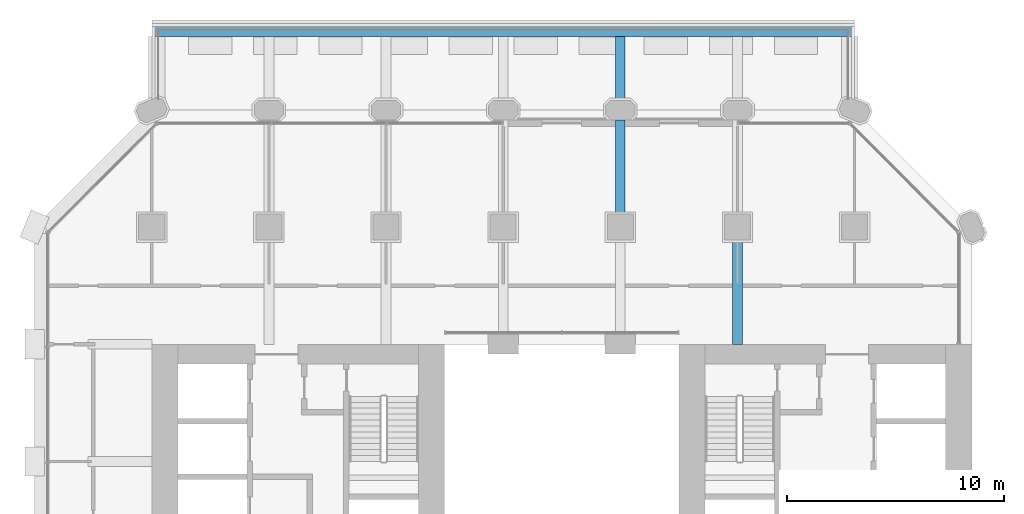
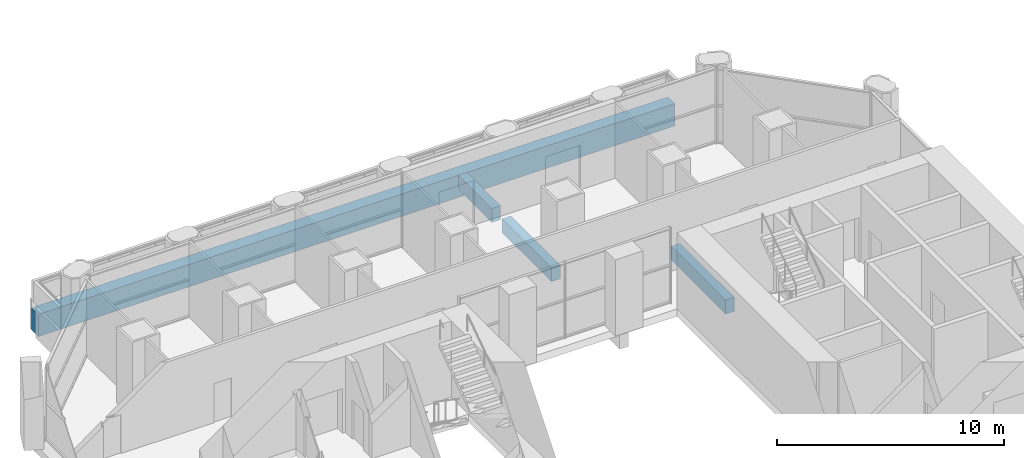
# One storey, part 8 of 23: 4 beams.
"""IFC4 building model written with IfcOpenShell, lengths in metres."""

import ifcopenshell
import ifcopenshell.guid

model = None  # the IFC model being written
_history = None  # IfcOwnerHistory: only IFC2X3 demands one
_inside = {}  # id of a spatial element -> (the spatial element, [elements in it])
_under = {}  # id of a project, library or spatial element -> (it, [spatial elements below it])
_declared = {}  # id of a project -> (the project, [libraries it declares])
_typed = {}  # id of a type object -> (the type object, [elements of that type])
_made_of = {}  # id of a material, layer set ... -> (it, [elements and type objects made of it])


def new_model(schema):
    """Start an empty IFC model of exactly this schema.

    Asked for "IFC4X3", IfcOpenShell would pick the latest addendum, in which some entities
    have other attributes; the version numbers below select the first issue.
    IFC2X3 requires an IfcOwnerHistory on every rooted entity: one is made here for all.
    """
    global model, _history
    if schema == "IFC4X3":
        model = ifcopenshell.file(schema_version=(4, 3, 0, 0))
    else:
        model = ifcopenshell.file(schema=schema)
    _inside.clear()
    _under.clear()
    _declared.clear()
    _typed.clear()
    _made_of.clear()
    _history = None
    if model.schema == "IFC2X3":
        org = make("IfcOrganization", Name="unknown")
        user = make(
            "IfcPersonAndOrganization",
            ThePerson=make("IfcPerson", FamilyName="unknown"),
            TheOrganization=org,
        )
        app = make(
            "IfcApplication",
            ApplicationDeveloper=org,
            Version="unknown",
            ApplicationFullName="unknown",
            ApplicationIdentifier="unknown",
        )
        _history = make(
            "IfcOwnerHistory",
            OwningUser=user,
            OwningApplication=app,
            ChangeAction="ADDED",
            CreationDate=0,
        )
    return model


def make(cls, **values):
    """One entity of the class cls with the attributes given. An attribute that is None is left unset."""
    return model.create_entity(
        cls, **{name: value for name, value in values.items() if value is not None}
    )


def rooted(cls, **values):
    """An entity with a GlobalId (a new one), such as an element, a storey or a relation."""
    return make(cls, GlobalId=ifcopenshell.guid.new(), OwnerHistory=_history, **values)


def si_unit(unit_type, name, prefix=None):
    """IfcSIUnit, for example si_unit("LENGTHUNIT", "METRE", prefix="MILLI")."""
    return make("IfcSIUnit", UnitType=unit_type, Prefix=prefix, Name=name)


def assignment(units):
    """IfcUnitAssignment: the units of a project."""
    return None if units is None else make("IfcUnitAssignment", Units=units)


def point(xyz):
    """IfcCartesianPoint."""
    return None if xyz is None else make("IfcCartesianPoint", Coordinates=xyz)


def direction(xyz):
    """IfcDirection."""
    return None if xyz is None else make("IfcDirection", DirectionRatios=xyz)


def frame(location, z_axis=None, x_axis=None):
    """IfcAxis2Placement3D, a coordinate frame: its origin and axes. An axis left out is left unset."""
    return make(
        "IfcAxis2Placement3D",
        Location=point(location),
        Axis=direction(z_axis),
        RefDirection=direction(x_axis),
    )


def frame_2d(location, x_axis=None):
    """IfcAxis2Placement2D, a coordinate frame in the plane: its origin and x axis."""
    return make(
        "IfcAxis2Placement2D", Location=point(location), RefDirection=direction(x_axis)
    )


def origin():
    """The frame at (0, 0, 0) with its axes left unset."""
    return frame((0.0, 0.0, 0.0))


def origin_2d():
    """The frame at (0, 0) in the plane with its x axis left unset."""
    return frame_2d((0.0, 0.0))


def place(relative_to, where):
    """IfcLocalPlacement: puts the frame where relative to a parent placement (None: the world)."""
    return make(
        "IfcLocalPlacement", PlacementRelTo=relative_to, RelativePlacement=where
    )


def context(
    kind, dimensions, precision=None, world=None, true_north=None, identifier=None
):
    """IfcGeometricRepresentationContext, for example the 3D "Model" context."""
    return make(
        "IfcGeometricRepresentationContext",
        ContextIdentifier=identifier,
        ContextType=kind,
        CoordinateSpaceDimension=dimensions,
        Precision=precision,
        WorldCoordinateSystem=world,
        TrueNorth=true_north,
    )


def subcontext(parent, identifier, kind, view, scale=None):
    """IfcGeometricRepresentationSubContext, for example "Body" below "Model"."""
    return make(
        "IfcGeometricRepresentationSubContext",
        ContextIdentifier=identifier,
        ContextType=kind,
        ParentContext=parent,
        TargetScale=scale,
        TargetView=view,
    )


def project(units=None, contexts=None):
    """IfcProject with its units and contexts."""
    return rooted(
        "IfcProject",
        Name="project",
        RepresentationContexts=contexts,
        UnitsInContext=assignment(units),
    )


def spatial(cls, under=None, at=None, **own):
    """A site, building, storey or space (cls), placed at a placement, below another one or the project."""
    s = rooted(cls, ObjectPlacement=at, **own)
    if under is not None:
        _under.setdefault(under.id(), (under, []))[1].append(s)
    return s


def profile(cls, at=None, kind="AREA", **sizes):
    """A parametric profile (cls). Its sizes go by their IFC names, for example OverallWidth=200.0."""
    return make(cls, ProfileType=kind, Position=at, **sizes)


def rectangle(**sizes):
    """IfcRectangleProfileDef."""
    return profile("IfcRectangleProfileDef", **sizes)


def extrude(swept, where, along, depth):
    """IfcExtrudedAreaSolid: the profile swept, set in the frame where, extruded along a direction by depth."""
    return make(
        "IfcExtrudedAreaSolid",
        SweptArea=swept,
        Position=where,
        ExtrudedDirection=direction(along),
        Depth=depth,
    )


def shape(context_of_items, identifier, shape_type, items):
    """IfcShapeRepresentation: the items that make up one representation, for example the "Body"."""
    return make(
        "IfcShapeRepresentation",
        ContextOfItems=context_of_items,
        RepresentationIdentifier=identifier,
        RepresentationType=shape_type,
        Items=items,
    )


def material(Name=None, Category=None):
    """IfcMaterial."""
    return make("IfcMaterial", Name=Name, Category=Category)


def material_profile(
    of_material, cross_section, Name=None, Category=None, Priority=None
):
    """IfcMaterialProfile: a cross section and its material."""
    return make(
        "IfcMaterialProfile",
        Name=Name,
        Material=of_material,
        Profile=cross_section,
        Priority=Priority,
        Category=Category,
    )


def profile_set(profiles, Name=None, composite=None):
    """IfcMaterialProfileSet."""
    return make(
        "IfcMaterialProfileSet",
        Name=Name,
        MaterialProfiles=profiles,
        CompositeProfile=composite,
    )


def made_of(thing, what):
    """Note that an element or type object is made of a material, layer set ...; save() writes the relation."""
    if what is not None:
        _made_of.setdefault(what.id(), (what, []))[1].append(thing)
    return thing


def type_object(cls, material=None, **own):
    """A type object (cls), such as IfcWallType, which elements share."""
    return made_of(rooted(cls, **own), material)


def element(
    cls,
    number,
    at=None,
    inside=None,
    cuts=None,
    type_object=None,
    material=None,
    context=None,
    identifier="Body",
    shape_type=None,
    held_by="IfcProductDefinitionShape",
    body=None,
    shapes=None,
    **own,
):
    """One element of the class cls, such as IfcWall. Its Tag is "e" and its number.

    at: its placement. inside: the storey or other place that contains it. cuts: it is an
    opening in that element (IfcRelVoidsElement). A single representation is given by context,
    identifier, shape_type and body (its items); several are given by shapes. held_by: the class
    of the entity that holds the representations. save() writes the other relations.
    """
    e = rooted(cls, Tag="e%d" % number, ObjectPlacement=at, **own)
    if body is not None:
        shapes = [shape(context, identifier, shape_type, body)]
    if shapes is not None:
        e.Representation = make(held_by, Representations=shapes)
    if inside is not None:
        _inside.setdefault(inside.id(), (inside, []))[1].append(e)
    if cuts is not None:
        rooted(
            "IfcRelVoidsElement", RelatingBuildingElement=cuts, RelatedOpeningElement=e
        )
    if type_object is not None:
        _typed.setdefault(type_object.id(), (type_object, []))[1].append(e)
    return made_of(e, material)


def aggregate(whole, parts):
    """IfcRelAggregates: a whole, such as a stair, and the parts it consists of."""
    return rooted("IfcRelAggregates", RelatingObject=whole, RelatedObjects=parts)


def save(model, path):
    """Write the relations noted so far, then the file.

    IfcRelAggregates (storeys below a building ...), IfcRelContainedInSpatialStructure (elements
    in a storey), IfcRelDefinesByType, IfcRelAssociatesMaterial and IfcRelDeclares: one each for
    every whole, place, type object, material and project.
    """
    for whole, parts in _under.values():
        aggregate(whole, parts)
    for where, things in _inside.values():
        rooted(
            "IfcRelContainedInSpatialStructure",
            RelatedElements=things,
            RelatingStructure=where,
        )
    for kind, things in _typed.values():
        rooted("IfcRelDefinesByType", RelatedObjects=things, RelatingType=kind)
    for what, things in _made_of.values():
        rooted("IfcRelAssociatesMaterial", RelatedObjects=things, RelatingMaterial=what)
    for by, libraries in _declared.values():
        rooted("IfcRelDeclares", RelatingContext=by, RelatedDefinitions=libraries)
    model.write(path)


model = new_model("IFC4")

# Units and contexts
model_context = context("Model", 3, precision=1e-05, world=origin(), true_north=direction((0.0, 1.0)))
body_context = subcontext(model_context, "Body", "Model", "MODEL_VIEW")
ifc_project = project(units=[si_unit("LENGTHUNIT", "METRE"), si_unit("AREAUNIT", "SQUARE_METRE"), si_unit("VOLUMEUNIT", "CUBIC_METRE"), si_unit("PLANEANGLEUNIT", "RADIAN"), si_unit("MASSUNIT", "GRAM", prefix="KILO")], contexts=[model_context])

# Site, building, storey
site_placement = place(None, origin())
site = spatial("IfcSite", under=ifc_project, at=site_placement, CompositionType="ELEMENT")
building_placement = place(site_placement, origin())
building = spatial("IfcBuilding", under=site, at=building_placement, Name="Tabaq Tower and Sports Hall", CompositionType="ELEMENT")
storey_placement = place(building_placement, frame((0.0, 0.0, 24.60009765625)))
storey = spatial("IfcBuildingStorey", under=building, at=storey_placement, Name="L04", CompositionType="ELEMENT", Elevation=24.60009765625)

# Beams
ifc_material_1 = material(Name="Concrete C40/50", Category="concrete")
ifc_material_profile_1 = material_profile(ifc_material_1, rectangle(XDim=0.60009765625, YDim=1.199951171875, at=origin_2d()), Name="EBT 600x1200")
ifc_profile_set_1 = profile_set([ifc_material_profile_1], Name="Concrete C40/50")
beam_type_1 = type_object("IfcBeamType", Name="Concrete C40/50 PT edge band EBT 600x1200", PredefinedType="BEAM", material=ifc_profile_set_1)
beam_1_placement = place(storey_placement, frame((37.800048828125, 46.89990234375, -1.0), z_axis=(-1.0, 0.0, 0.0), x_axis=(0.0, -1.0, 0.0)))
element("IfcBeam", 1, at=beam_1_placement, inside=storey, type_object=beam_type_1, Name="Tray edge band L04", PredefinedType="BEAM", context=body_context, shape_type="SweptSolid", body=[
    extrude(rectangle(XDim=0.60009765625, YDim=1.199951171875, at=origin_2d()), origin(), (0.0, 0.0, 1.0), 32.400146484375),
])
ifc_material_2 = material(Name="Concrete C40/50", Category="concrete")
ifc_material_profile_2 = material_profile(ifc_material_2, rectangle(XDim=0.449951171875, YDim=0.75, at=origin_2d()), Name="CB 450x750")
ifc_profile_set_2 = profile_set([ifc_material_profile_2], Name="Concrete C40/50")
beam_type_2 = type_object("IfcBeamType", Name="PT CANTILEVER BEAM CB 450x750 C40/50", PredefinedType="BEAM", material=ifc_profile_set_2)
beam_2_placement = place(storey_placement, frame((32.39990234375, 37.199951171875, -0.775146484375), z_axis=(0.0, -1.0, 0.0), x_axis=(1.0, 0.0, 0.0)))
element("IfcBeam", 2, at=beam_2_placement, inside=storey, type_object=beam_type_2, Name="Tray Cantilever Beam L04 T1 span 3", PredefinedType="BEAM", context=body_context, shape_type="SweptSolid", body=[
    extrude(rectangle(XDim=0.449951171875, YDim=0.75, at=origin_2d()), origin(), (0.0, 0.0, 1.0), 4.800048828125),
])
beam_3_placement = place(storey_placement, frame((27.0, 46.60009765625, -0.775146484375), z_axis=(0.0, -1.0, 0.0), x_axis=(1.0, 0.0, 0.0)))
element("IfcBeam", 3, at=beam_3_placement, inside=storey, type_object=beam_type_2, Name="Tray Cantilever Beam L04 T2 span 1", PredefinedType="BEAM", context=body_context, shape_type="SweptSolid", body=[
    extrude(rectangle(XDim=0.449951171875, YDim=0.75, at=origin_2d()), origin(), (0.0, 0.0, 1.0), 2.9501953125),
])
beam_4_placement = place(storey_placement, frame((27.0, 42.75, -0.775146484375), z_axis=(0.0, -1.0, 0.0), x_axis=(1.0, 0.0, 0.0)))
element("IfcBeam", 4, at=beam_4_placement, inside=storey, type_object=beam_type_2, Name="Tray Cantilever Beam L04 T2 span 2", PredefinedType="BEAM", context=body_context, shape_type="SweptSolid", body=[
    extrude(rectangle(XDim=0.449951171875, YDim=0.75, at=origin_2d()), origin(), (0.0, 0.0, 1.0), 4.35009765625),
])

save(model, "model.ifc")
